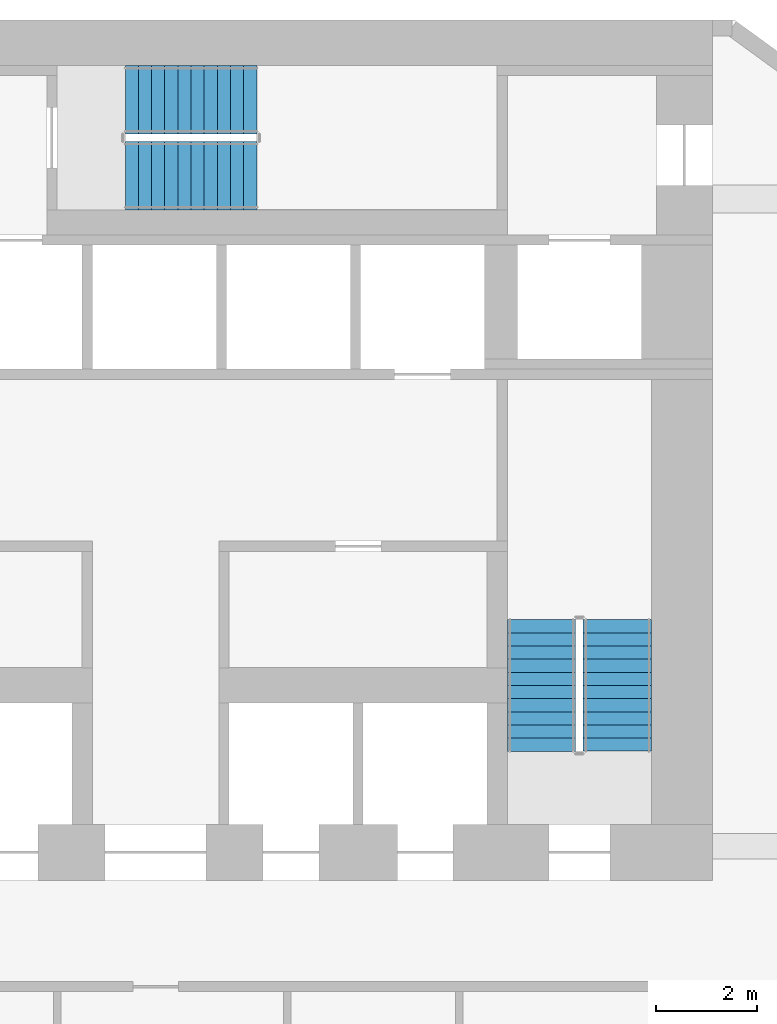
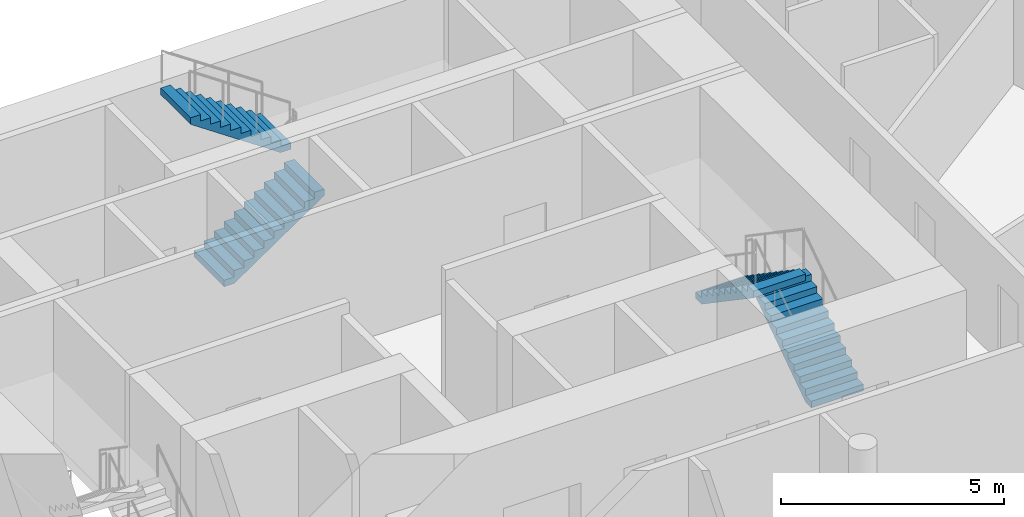
# One storey, part 7 of 9: 4 stair flights, 2 elements without a shape of their own.
"""IFC4 building model written with IfcOpenShell, lengths in metres."""

import ifcopenshell
import ifcopenshell.guid

model = None  # the IFC model being written
_history = None  # IfcOwnerHistory: only IFC2X3 demands one
_inside = {}  # id of a spatial element -> (the spatial element, [elements in it])
_under = {}  # id of a project, library or spatial element -> (it, [spatial elements below it])
_declared = {}  # id of a project -> (the project, [libraries it declares])
_typed = {}  # id of a type object -> (the type object, [elements of that type])
_made_of = {}  # id of a material, layer set ... -> (it, [elements and type objects made of it])


def new_model(schema):
    """Start an empty IFC model of exactly this schema.

    Asked for "IFC4X3", IfcOpenShell would pick the latest addendum, in which some entities
    have other attributes; the version numbers below select the first issue.
    IFC2X3 requires an IfcOwnerHistory on every rooted entity: one is made here for all.
    """
    global model, _history
    if schema == "IFC4X3":
        model = ifcopenshell.file(schema_version=(4, 3, 0, 0))
    else:
        model = ifcopenshell.file(schema=schema)
    _inside.clear()
    _under.clear()
    _declared.clear()
    _typed.clear()
    _made_of.clear()
    _history = None
    if model.schema == "IFC2X3":
        org = make("IfcOrganization", Name="unknown")
        user = make(
            "IfcPersonAndOrganization",
            ThePerson=make("IfcPerson", FamilyName="unknown"),
            TheOrganization=org,
        )
        app = make(
            "IfcApplication",
            ApplicationDeveloper=org,
            Version="unknown",
            ApplicationFullName="unknown",
            ApplicationIdentifier="unknown",
        )
        _history = make(
            "IfcOwnerHistory",
            OwningUser=user,
            OwningApplication=app,
            ChangeAction="ADDED",
            CreationDate=0,
        )
    return model


def make(cls, **values):
    """One entity of the class cls with the attributes given. An attribute that is None is left unset."""
    return model.create_entity(
        cls, **{name: value for name, value in values.items() if value is not None}
    )


def rooted(cls, **values):
    """An entity with a GlobalId (a new one), such as an element, a storey or a relation."""
    return make(cls, GlobalId=ifcopenshell.guid.new(), OwnerHistory=_history, **values)


def si_unit(unit_type, name, prefix=None):
    """IfcSIUnit, for example si_unit("LENGTHUNIT", "METRE", prefix="MILLI")."""
    return make("IfcSIUnit", UnitType=unit_type, Prefix=prefix, Name=name)


def assignment(units):
    """IfcUnitAssignment: the units of a project."""
    return None if units is None else make("IfcUnitAssignment", Units=units)


def point(xyz):
    """IfcCartesianPoint."""
    return None if xyz is None else make("IfcCartesianPoint", Coordinates=xyz)


def direction(xyz):
    """IfcDirection."""
    return None if xyz is None else make("IfcDirection", DirectionRatios=xyz)


def frame(location, z_axis=None, x_axis=None):
    """IfcAxis2Placement3D, a coordinate frame: its origin and axes. An axis left out is left unset."""
    return make(
        "IfcAxis2Placement3D",
        Location=point(location),
        Axis=direction(z_axis),
        RefDirection=direction(x_axis),
    )


def origin():
    """The frame at (0, 0, 0) with its axes left unset."""
    return frame((0.0, 0.0, 0.0))


def place(relative_to, where):
    """IfcLocalPlacement: puts the frame where relative to a parent placement (None: the world)."""
    return make(
        "IfcLocalPlacement", PlacementRelTo=relative_to, RelativePlacement=where
    )


def context(
    kind, dimensions, precision=None, world=None, true_north=None, identifier=None
):
    """IfcGeometricRepresentationContext, for example the 3D "Model" context."""
    return make(
        "IfcGeometricRepresentationContext",
        ContextIdentifier=identifier,
        ContextType=kind,
        CoordinateSpaceDimension=dimensions,
        Precision=precision,
        WorldCoordinateSystem=world,
        TrueNorth=true_north,
    )


def subcontext(parent, identifier, kind, view, scale=None):
    """IfcGeometricRepresentationSubContext, for example "Body" below "Model"."""
    return make(
        "IfcGeometricRepresentationSubContext",
        ContextIdentifier=identifier,
        ContextType=kind,
        ParentContext=parent,
        TargetScale=scale,
        TargetView=view,
    )


def project(units=None, contexts=None):
    """IfcProject with its units and contexts."""
    return rooted(
        "IfcProject",
        Name="project",
        RepresentationContexts=contexts,
        UnitsInContext=assignment(units),
    )


def spatial(cls, under=None, at=None, **own):
    """A site, building, storey or space (cls), placed at a placement, below another one or the project."""
    s = rooted(cls, ObjectPlacement=at, **own)
    if under is not None:
        _under.setdefault(under.id(), (under, []))[1].append(s)
    return s


def polyline(points):
    """IfcPolyline through the points."""
    return make("IfcPolyline", Points=[point(p) for p in points])


def outline(outer, holes=None, kind="AREA"):
    """IfcArbitraryClosedProfileDef: a profile drawn as a closed curve; with holes, ...WithVoids."""
    if holes is None:
        return make("IfcArbitraryClosedProfileDef", ProfileType=kind, OuterCurve=outer)
    return make(
        "IfcArbitraryProfileDefWithVoids",
        ProfileType=kind,
        OuterCurve=outer,
        InnerCurves=holes,
    )


def extrude(swept, where, along, depth):
    """IfcExtrudedAreaSolid: the profile swept, set in the frame where, extruded along a direction by depth."""
    return make(
        "IfcExtrudedAreaSolid",
        SweptArea=swept,
        Position=where,
        ExtrudedDirection=direction(along),
        Depth=depth,
    )


def shape(context_of_items, identifier, shape_type, items):
    """IfcShapeRepresentation: the items that make up one representation, for example the "Body"."""
    return make(
        "IfcShapeRepresentation",
        ContextOfItems=context_of_items,
        RepresentationIdentifier=identifier,
        RepresentationType=shape_type,
        Items=items,
    )


def material(Name=None, Category=None):
    """IfcMaterial."""
    return make("IfcMaterial", Name=Name, Category=Category)


def layer(
    of_material, thickness, ventilated=None, Name=None, Category=None, Priority=None
):
    """IfcMaterialLayer: one layer of a wall or slab, of a material (None: an air gap)."""
    return make(
        "IfcMaterialLayer",
        Material=of_material,
        LayerThickness=thickness,
        IsVentilated=ventilated,
        Name=Name,
        Category=Category,
        Priority=Priority,
    )


def layer_set(layers, Name=None):
    """IfcMaterialLayerSet."""
    return make("IfcMaterialLayerSet", MaterialLayers=layers, LayerSetName=Name)


def made_of(thing, what):
    """Note that an element or type object is made of a material, layer set ...; save() writes the relation."""
    if what is not None:
        _made_of.setdefault(what.id(), (what, []))[1].append(thing)
    return thing


def type_object(cls, material=None, **own):
    """A type object (cls), such as IfcWallType, which elements share."""
    return made_of(rooted(cls, **own), material)


def element(
    cls,
    number,
    at=None,
    inside=None,
    cuts=None,
    type_object=None,
    material=None,
    context=None,
    identifier="Body",
    shape_type=None,
    held_by="IfcProductDefinitionShape",
    body=None,
    shapes=None,
    **own,
):
    """One element of the class cls, such as IfcWall. Its Tag is "e" and its number.

    at: its placement. inside: the storey or other place that contains it. cuts: it is an
    opening in that element (IfcRelVoidsElement). A single representation is given by context,
    identifier, shape_type and body (its items); several are given by shapes. held_by: the class
    of the entity that holds the representations. save() writes the other relations.
    """
    e = rooted(cls, Tag="e%d" % number, ObjectPlacement=at, **own)
    if body is not None:
        shapes = [shape(context, identifier, shape_type, body)]
    if shapes is not None:
        e.Representation = make(held_by, Representations=shapes)
    if inside is not None:
        _inside.setdefault(inside.id(), (inside, []))[1].append(e)
    if cuts is not None:
        rooted(
            "IfcRelVoidsElement", RelatingBuildingElement=cuts, RelatedOpeningElement=e
        )
    if type_object is not None:
        _typed.setdefault(type_object.id(), (type_object, []))[1].append(e)
    return made_of(e, material)


def aggregate(whole, parts):
    """IfcRelAggregates: a whole, such as a stair, and the parts it consists of."""
    return rooted("IfcRelAggregates", RelatingObject=whole, RelatedObjects=parts)


def save(model, path):
    """Write the relations noted so far, then the file.

    IfcRelAggregates (storeys below a building ...), IfcRelContainedInSpatialStructure (elements
    in a storey), IfcRelDefinesByType, IfcRelAssociatesMaterial and IfcRelDeclares: one each for
    every whole, place, type object, material and project.
    """
    for whole, parts in _under.values():
        aggregate(whole, parts)
    for where, things in _inside.values():
        rooted(
            "IfcRelContainedInSpatialStructure",
            RelatedElements=things,
            RelatingStructure=where,
        )
    for kind, things in _typed.values():
        rooted("IfcRelDefinesByType", RelatedObjects=things, RelatingType=kind)
    for what, things in _made_of.values():
        rooted("IfcRelAssociatesMaterial", RelatedObjects=things, RelatingMaterial=what)
    for by, libraries in _declared.values():
        rooted("IfcRelDeclares", RelatingContext=by, RelatedDefinitions=libraries)
    model.write(path)


model = new_model("IFC4")

# Units and contexts
model_context = context("Model", 3, precision=1e-05, world=origin(), true_north=direction((0.0, 1.0)))
body_context = subcontext(model_context, "Body", "Model", "MODEL_VIEW")
ifc_project = project(units=[si_unit("LENGTHUNIT", "METRE"), si_unit("AREAUNIT", "SQUARE_METRE"), si_unit("VOLUMEUNIT", "CUBIC_METRE"), si_unit("PLANEANGLEUNIT", "RADIAN"), si_unit("MASSUNIT", "GRAM", prefix="KILO")], contexts=[model_context])

# Site, building, storey
site_placement = place(None, origin())
site = spatial("IfcSite", under=ifc_project, at=site_placement, CompositionType="ELEMENT")
building_placement = place(site_placement, origin())
building = spatial("IfcBuilding", under=site, at=building_placement, Name="White Candle Pilgrim Tower", CompositionType="ELEMENT")
storey_placement = place(building_placement, frame((0.0, 0.0, 110.300048828125)))
storey = spatial("IfcBuildingStorey", under=building, at=storey_placement, Name="L24", CompositionType="ELEMENT", Elevation=110.300048828125)

# Stair, stair flights
ifc_material = material(Name="Concrete C40/50", Category="concrete")
stair_type_1 = type_object("IfcStairType", Name="Exit stair 2 flight width 1350 mm", PredefinedType="HALF_TURN_STAIR", material=ifc_material)
stair_1_placement = place(storey_placement, origin())
stair_1 = element("IfcStair", 1, at=stair_1_placement, inside=storey, type_object=stair_type_1, Name="L24 stair 2", PredefinedType="NOTDEFINED")
ifc_layer = layer(ifc_material, 0.14990234375)
ifc_layer_set = layer_set([ifc_layer], Name="Stair flight Concrete C40/50")
stair_flight_type = type_object("IfcStairFlightType", Name="Stair flight Concrete C40/50", PredefinedType="STRAIGHT", material=ifc_layer_set)
stair_flight_1_placement = place(storey_placement, frame((79.125, 73.550048828125, 0.0), z_axis=(0.0, 0.0, 1.0), x_axis=(0.0, 1.0, 0.0)))
stair_flight_1 = element("IfcStairFlight", 2, at=stair_flight_1_placement, type_object=stair_flight_type, Name="ST2 flight 1", NumberOfRisers=11, NumberOfTreads=10, PredefinedType="NOTDEFINED", RiserHeight=0.177272727, TreadLength=0.26, context=body_context, shape_type="SweptSolid", body=[
    extrude(outline(polyline([(0.0, 0.0), (0.0, 0.17724609375), (0.260009765625, 0.17724609375), (0.260009765625, 0.3544921875), (0.52001953125, 0.3544921875), (0.52001953125, 0.53173828125), (0.780029296875, 0.53173828125), (0.780029296875, 0.708984375), (1.0400390625, 0.708984375), (1.0400390625, 0.886474609375), (1.300048828125, 0.886474609375), (1.300048828125, 1.063720703125), (1.56005859375, 1.063720703125), (1.56005859375, 1.240966796875), (1.820068359375, 1.240966796875), (1.820068359375, 1.418212890625), (2.080078125, 1.418212890625), (2.080078125, 1.595458984375), (2.340087890625, 1.595458984375), (2.340087890625, 1.772705078125), (2.60009765625, 1.772705078125), (2.60009765625, 1.949951171875), (2.60009765625, 1.59130859375), (0.26611328125, 0.0), (0.0, 0.0)])), frame((0.0, 0.675048828125, 0.0), z_axis=(0.0, -1.0, 0.0), x_axis=(1.0, 0.0, 0.0)), (0.0, 0.0, 1.0), 1.35009765625),
])
stair_flight_2_placement = place(storey_placement, frame((77.625, 76.14990234375, 1.949951171875), z_axis=(0.0, 0.0, 1.0), x_axis=(0.0, -1.0, 0.0)))
stair_flight_2 = element("IfcStairFlight", 3, at=stair_flight_2_placement, type_object=stair_flight_type, Name="ST2 flight 2", NumberOfRisers=11, NumberOfTreads=10, PredefinedType="NOTDEFINED", RiserHeight=0.177272727, TreadLength=0.26, context=body_context, shape_type="SweptSolid", body=[
    extrude(outline(polyline([(0.0, 0.0), (0.0, 0.17724609375), (0.260009765625, 0.17724609375), (0.260009765625, 0.3544921875), (0.52001953125, 0.3544921875), (0.52001953125, 0.53173828125), (0.780029296875, 0.53173828125), (0.780029296875, 0.708984375), (1.0400390625, 0.708984375), (1.0400390625, 0.886474609375), (1.300048828125, 0.886474609375), (1.300048828125, 1.063720703125), (1.56005859375, 1.063720703125), (1.56005859375, 1.240966796875), (1.820068359375, 1.240966796875), (1.820068359375, 1.418212890625), (2.080078125, 1.418212890625), (2.080078125, 1.595458984375), (2.340087890625, 1.595458984375), (2.340087890625, 1.772705078125), (2.60009765625, 1.772705078125), (2.60009765625, 1.949951171875), (2.60009765625, 1.59130859375), (0.26611328125, 0.0), (0.0, 0.0)])), frame((0.0, 0.675048828125, 0.0), z_axis=(0.0, -1.0, 0.0), x_axis=(1.0, 0.0, 0.0)), (0.0, 0.0, 1.0), 1.35009765625),
])
aggregate(stair_1, [stair_flight_1, stair_flight_2])

stair_type_2 = type_object("IfcStairType", Name="Exit stair 3 flight width 1350 mm", PredefinedType="HALF_TURN_STAIR", material=ifc_material)
stair_2_placement = place(storey_placement, origin())
stair_2 = element("IfcStair", 4, at=stair_2_placement, inside=storey, type_object=stair_type_2, Name="L24 stair 3", PredefinedType="NOTDEFINED")
stair_flight_3_placement = place(storey_placement, frame((69.39990234375, 84.925048828125, 0.0), z_axis=(0.0, 0.0, 1.0), x_axis=(1.0, 0.0, 0.0)))
stair_flight_3 = element("IfcStairFlight", 5, at=stair_flight_3_placement, type_object=stair_flight_type, Name="ST3 flight 1", NumberOfRisers=11, NumberOfTreads=10, PredefinedType="NOTDEFINED", RiserHeight=0.177272727, TreadLength=0.26, context=body_context, shape_type="SweptSolid", body=[
    extrude(outline(polyline([(0.0, 0.0), (0.0, 0.17724609375), (0.260009765625, 0.17724609375), (0.260009765625, 0.3544921875), (0.52001953125, 0.3544921875), (0.52001953125, 0.53173828125), (0.780029296875, 0.53173828125), (0.780029296875, 0.708984375), (1.0400390625, 0.708984375), (1.0400390625, 0.886474609375), (1.300048828125, 0.886474609375), (1.300048828125, 1.063720703125), (1.56005859375, 1.063720703125), (1.56005859375, 1.240966796875), (1.820068359375, 1.240966796875), (1.820068359375, 1.418212890625), (2.080078125, 1.418212890625), (2.080078125, 1.595458984375), (2.340087890625, 1.595458984375), (2.340087890625, 1.772705078125), (2.60009765625, 1.772705078125), (2.60009765625, 1.949951171875), (2.60009765625, 1.59130859375), (0.26611328125, 0.0), (0.0, 0.0)])), frame((0.0, 0.675048828125, 0.0), z_axis=(0.0, -1.0, 0.0), x_axis=(1.0, 0.0, 0.0)), (0.0, 0.0, 1.0), 1.35009765625),
])
stair_flight_4_placement = place(storey_placement, frame((72.0, 86.425048828125, 1.949951171875), z_axis=(0.0, 0.0, 1.0), x_axis=(-1.0, 0.0, 0.0)))
stair_flight_4 = element("IfcStairFlight", 6, at=stair_flight_4_placement, type_object=stair_flight_type, Name="ST3 flight 2", NumberOfRisers=11, NumberOfTreads=10, PredefinedType="NOTDEFINED", RiserHeight=0.177272727, TreadLength=0.26, context=body_context, shape_type="SweptSolid", body=[
    extrude(outline(polyline([(0.0, 0.0), (0.0, 0.17724609375), (0.260009765625, 0.17724609375), (0.260009765625, 0.3544921875), (0.52001953125, 0.3544921875), (0.52001953125, 0.53173828125), (0.780029296875, 0.53173828125), (0.780029296875, 0.708984375), (1.0400390625, 0.708984375), (1.0400390625, 0.886474609375), (1.300048828125, 0.886474609375), (1.300048828125, 1.063720703125), (1.56005859375, 1.063720703125), (1.56005859375, 1.240966796875), (1.820068359375, 1.240966796875), (1.820068359375, 1.418212890625), (2.080078125, 1.418212890625), (2.080078125, 1.595458984375), (2.340087890625, 1.595458984375), (2.340087890625, 1.772705078125), (2.60009765625, 1.772705078125), (2.60009765625, 1.949951171875), (2.60009765625, 1.59130859375), (0.26611328125, 0.0), (0.0, 0.0)])), frame((0.0, 0.675048828125, 0.0), z_axis=(0.0, -1.0, 0.0), x_axis=(1.0, 0.0, 0.0)), (0.0, 0.0, 1.0), 1.35009765625),
])
aggregate(stair_2, [stair_flight_3, stair_flight_4])

save(model, "model.ifc")
